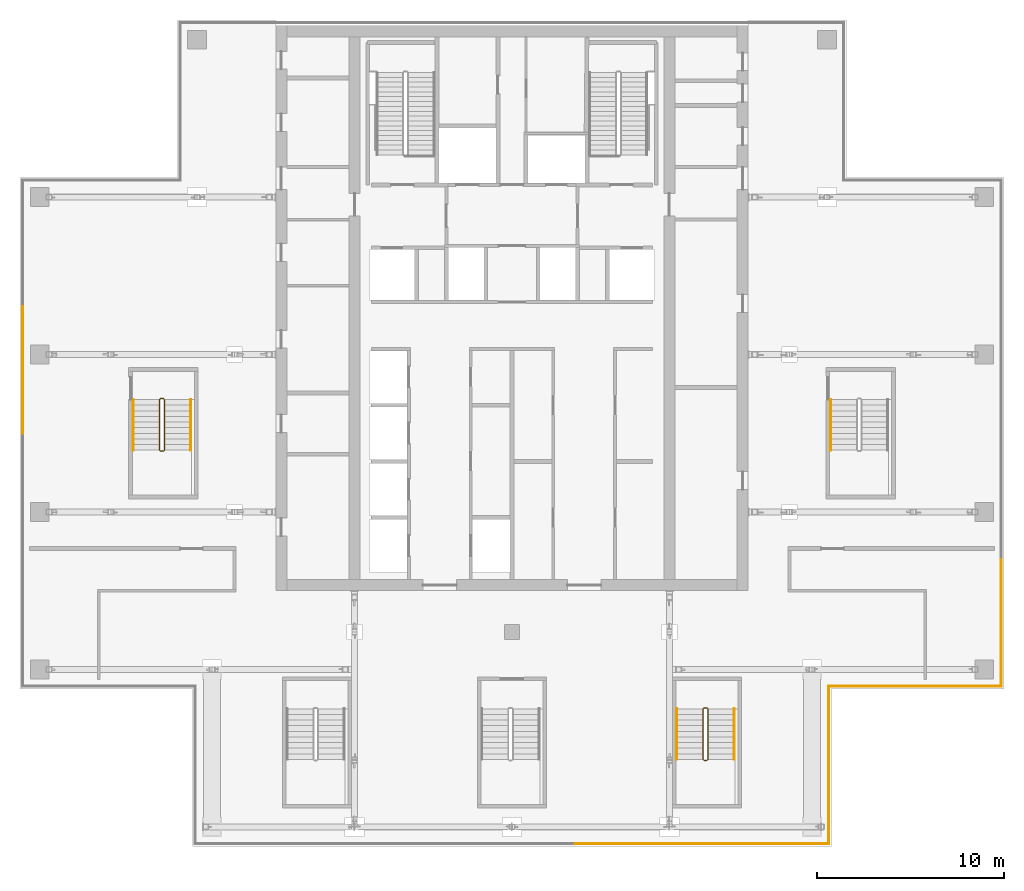
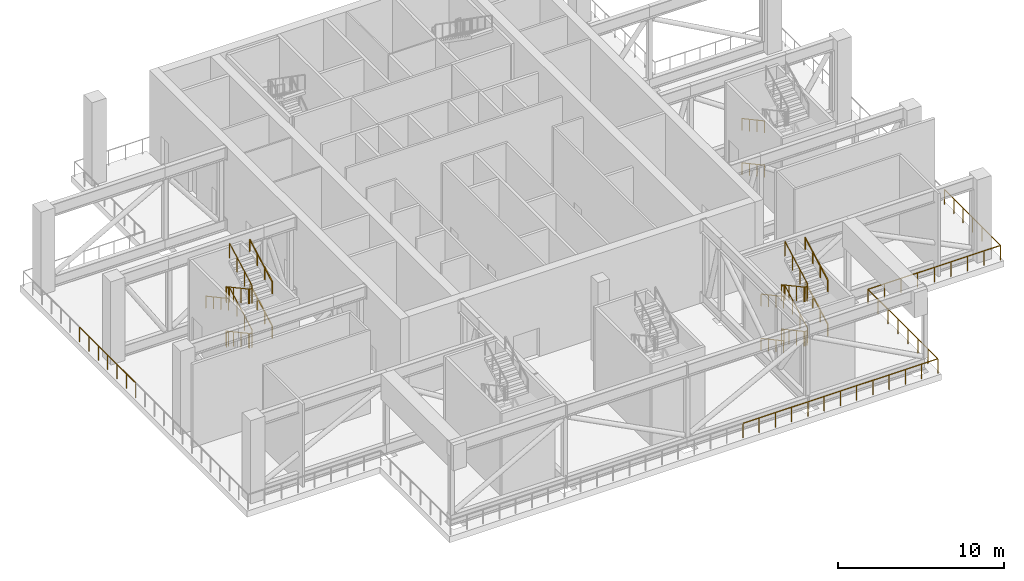
# One storey, part 22 of 24: 18 railings.
"""IFC4 building model written with IfcOpenShell, lengths in metres."""

import ifcopenshell
import ifcopenshell.guid

model = None  # the IFC model being written
_history = None  # IfcOwnerHistory: only IFC2X3 demands one
_inside = {}  # id of a spatial element -> (the spatial element, [elements in it])
_under = {}  # id of a project, library or spatial element -> (it, [spatial elements below it])
_declared = {}  # id of a project -> (the project, [libraries it declares])
_typed = {}  # id of a type object -> (the type object, [elements of that type])
_made_of = {}  # id of a material, layer set ... -> (it, [elements and type objects made of it])


def new_model(schema):
    """Start an empty IFC model of exactly this schema.

    Asked for "IFC4X3", IfcOpenShell would pick the latest addendum, in which some entities
    have other attributes; the version numbers below select the first issue.
    IFC2X3 requires an IfcOwnerHistory on every rooted entity: one is made here for all.
    """
    global model, _history
    if schema == "IFC4X3":
        model = ifcopenshell.file(schema_version=(4, 3, 0, 0))
    else:
        model = ifcopenshell.file(schema=schema)
    _inside.clear()
    _under.clear()
    _declared.clear()
    _typed.clear()
    _made_of.clear()
    _history = None
    if model.schema == "IFC2X3":
        org = make("IfcOrganization", Name="unknown")
        user = make(
            "IfcPersonAndOrganization",
            ThePerson=make("IfcPerson", FamilyName="unknown"),
            TheOrganization=org,
        )
        app = make(
            "IfcApplication",
            ApplicationDeveloper=org,
            Version="unknown",
            ApplicationFullName="unknown",
            ApplicationIdentifier="unknown",
        )
        _history = make(
            "IfcOwnerHistory",
            OwningUser=user,
            OwningApplication=app,
            ChangeAction="ADDED",
            CreationDate=0,
        )
    return model


def make(cls, **values):
    """One entity of the class cls with the attributes given. An attribute that is None is left unset."""
    return model.create_entity(
        cls, **{name: value for name, value in values.items() if value is not None}
    )


def rooted(cls, **values):
    """An entity with a GlobalId (a new one), such as an element, a storey or a relation."""
    return make(cls, GlobalId=ifcopenshell.guid.new(), OwnerHistory=_history, **values)


def si_unit(unit_type, name, prefix=None):
    """IfcSIUnit, for example si_unit("LENGTHUNIT", "METRE", prefix="MILLI")."""
    return make("IfcSIUnit", UnitType=unit_type, Prefix=prefix, Name=name)


def assignment(units):
    """IfcUnitAssignment: the units of a project."""
    return None if units is None else make("IfcUnitAssignment", Units=units)


def point(xyz):
    """IfcCartesianPoint."""
    return None if xyz is None else make("IfcCartesianPoint", Coordinates=xyz)


def direction(xyz):
    """IfcDirection."""
    return None if xyz is None else make("IfcDirection", DirectionRatios=xyz)


def frame(location, z_axis=None, x_axis=None):
    """IfcAxis2Placement3D, a coordinate frame: its origin and axes. An axis left out is left unset."""
    return make(
        "IfcAxis2Placement3D",
        Location=point(location),
        Axis=direction(z_axis),
        RefDirection=direction(x_axis),
    )


def frame_2d(location, x_axis=None):
    """IfcAxis2Placement2D, a coordinate frame in the plane: its origin and x axis."""
    return make(
        "IfcAxis2Placement2D", Location=point(location), RefDirection=direction(x_axis)
    )


def origin():
    """The frame at (0, 0, 0) with its axes left unset."""
    return frame((0.0, 0.0, 0.0))


def origin_2d():
    """The frame at (0, 0) in the plane with its x axis left unset."""
    return frame_2d((0.0, 0.0))


def place(relative_to, where):
    """IfcLocalPlacement: puts the frame where relative to a parent placement (None: the world)."""
    return make(
        "IfcLocalPlacement", PlacementRelTo=relative_to, RelativePlacement=where
    )


def context(
    kind, dimensions, precision=None, world=None, true_north=None, identifier=None
):
    """IfcGeometricRepresentationContext, for example the 3D "Model" context."""
    return make(
        "IfcGeometricRepresentationContext",
        ContextIdentifier=identifier,
        ContextType=kind,
        CoordinateSpaceDimension=dimensions,
        Precision=precision,
        WorldCoordinateSystem=world,
        TrueNorth=true_north,
    )


def subcontext(parent, identifier, kind, view, scale=None):
    """IfcGeometricRepresentationSubContext, for example "Body" below "Model"."""
    return make(
        "IfcGeometricRepresentationSubContext",
        ContextIdentifier=identifier,
        ContextType=kind,
        ParentContext=parent,
        TargetScale=scale,
        TargetView=view,
    )


def project(units=None, contexts=None):
    """IfcProject with its units and contexts."""
    return rooted(
        "IfcProject",
        Name="project",
        RepresentationContexts=contexts,
        UnitsInContext=assignment(units),
    )


def spatial(cls, under=None, at=None, **own):
    """A site, building, storey or space (cls), placed at a placement, below another one or the project."""
    s = rooted(cls, ObjectPlacement=at, **own)
    if under is not None:
        _under.setdefault(under.id(), (under, []))[1].append(s)
    return s


def profile(cls, at=None, kind="AREA", **sizes):
    """A parametric profile (cls). Its sizes go by their IFC names, for example OverallWidth=200.0."""
    return make(cls, ProfileType=kind, Position=at, **sizes)


def rectangle(**sizes):
    """IfcRectangleProfileDef."""
    return profile("IfcRectangleProfileDef", **sizes)


def extrude(swept, where, along, depth):
    """IfcExtrudedAreaSolid: the profile swept, set in the frame where, extruded along a direction by depth."""
    return make(
        "IfcExtrudedAreaSolid",
        SweptArea=swept,
        Position=where,
        ExtrudedDirection=direction(along),
        Depth=depth,
    )


def shape(context_of_items, identifier, shape_type, items):
    """IfcShapeRepresentation: the items that make up one representation, for example the "Body"."""
    return make(
        "IfcShapeRepresentation",
        ContextOfItems=context_of_items,
        RepresentationIdentifier=identifier,
        RepresentationType=shape_type,
        Items=items,
    )


def material(Name=None, Category=None):
    """IfcMaterial."""
    return make("IfcMaterial", Name=Name, Category=Category)


def made_of(thing, what):
    """Note that an element or type object is made of a material, layer set ...; save() writes the relation."""
    if what is not None:
        _made_of.setdefault(what.id(), (what, []))[1].append(thing)
    return thing


def type_object(cls, material=None, **own):
    """A type object (cls), such as IfcWallType, which elements share."""
    return made_of(rooted(cls, **own), material)


def element(
    cls,
    number,
    at=None,
    inside=None,
    cuts=None,
    type_object=None,
    material=None,
    context=None,
    identifier="Body",
    shape_type=None,
    held_by="IfcProductDefinitionShape",
    body=None,
    shapes=None,
    **own,
):
    """One element of the class cls, such as IfcWall. Its Tag is "e" and its number.

    at: its placement. inside: the storey or other place that contains it. cuts: it is an
    opening in that element (IfcRelVoidsElement). A single representation is given by context,
    identifier, shape_type and body (its items); several are given by shapes. held_by: the class
    of the entity that holds the representations. save() writes the other relations.
    """
    e = rooted(cls, Tag="e%d" % number, ObjectPlacement=at, **own)
    if body is not None:
        shapes = [shape(context, identifier, shape_type, body)]
    if shapes is not None:
        e.Representation = make(held_by, Representations=shapes)
    if inside is not None:
        _inside.setdefault(inside.id(), (inside, []))[1].append(e)
    if cuts is not None:
        rooted(
            "IfcRelVoidsElement", RelatingBuildingElement=cuts, RelatedOpeningElement=e
        )
    if type_object is not None:
        _typed.setdefault(type_object.id(), (type_object, []))[1].append(e)
    return made_of(e, material)


def aggregate(whole, parts):
    """IfcRelAggregates: a whole, such as a stair, and the parts it consists of."""
    return rooted("IfcRelAggregates", RelatingObject=whole, RelatedObjects=parts)


def save(model, path):
    """Write the relations noted so far, then the file.

    IfcRelAggregates (storeys below a building ...), IfcRelContainedInSpatialStructure (elements
    in a storey), IfcRelDefinesByType, IfcRelAssociatesMaterial and IfcRelDeclares: one each for
    every whole, place, type object, material and project.
    """
    for whole, parts in _under.values():
        aggregate(whole, parts)
    for where, things in _inside.values():
        rooted(
            "IfcRelContainedInSpatialStructure",
            RelatedElements=things,
            RelatingStructure=where,
        )
    for kind, things in _typed.values():
        rooted("IfcRelDefinesByType", RelatedObjects=things, RelatingType=kind)
    for what, things in _made_of.values():
        rooted("IfcRelAssociatesMaterial", RelatedObjects=things, RelatingMaterial=what)
    for by, libraries in _declared.values():
        rooted("IfcRelDeclares", RelatingContext=by, RelatedDefinitions=libraries)
    model.write(path)


model = new_model("IFC4")

# Units and contexts
model_context = context("Model", 3, precision=1e-05, world=origin(), true_north=direction((0.0, 1.0)))
body_context = subcontext(model_context, "Body", "Model", "MODEL_VIEW")
ifc_project = project(units=[si_unit("LENGTHUNIT", "METRE"), si_unit("AREAUNIT", "SQUARE_METRE"), si_unit("VOLUMEUNIT", "CUBIC_METRE"), si_unit("PLANEANGLEUNIT", "RADIAN"), si_unit("MASSUNIT", "GRAM", prefix="KILO")], contexts=[model_context])

# Site, building, storey
site_placement = place(None, origin())
site = spatial("IfcSite", under=ifc_project, at=site_placement, CompositionType="ELEMENT")
building_placement = place(site_placement, origin())
building = spatial("IfcBuilding", under=site, at=building_placement, Name="Vermilion Ogive Tower", CompositionType="ELEMENT")
storey_placement = place(building_placement, frame((0.0, 0.0, 216.949951171875)))
storey = spatial("IfcBuildingStorey", under=building, at=storey_placement, Name="L57", CompositionType="ELEMENT", Elevation=216.949951171875)

# Railings
ifc_material_1 = material(Name="Stainless steel and glass", Category="steel")
railing_type_1 = type_object("IfcRailingType", Name="Edge guard", PredefinedType="GUARDRAIL", material=ifc_material_1)
railing_1_placement = place(storey_placement, frame((-26.10009765625, 0.0, 0.0)))
element("IfcRailing", 1, at=railing_1_placement, inside=storey, type_object=railing_type_1, Name="Open edge guard L57 3.3", PredefinedType="GUARDRAIL", context=body_context, shape_type="SweptSolid", body=[
    extrude(rectangle(XDim=0.048095703125, YDim=0.048095703125, at=origin_2d()), frame((0.0, 0.0, 1.076171875), z_axis=(0.0, 1.0, 0.0), x_axis=(-1.0, 0.0, 0.0)), (0.0, 0.0, 1.0), 6.75),
    extrude(rectangle(XDim=0.0419921875, YDim=0.0419921875, at=origin_2d()), origin(), (0.0, 0.0, 1.0), 1.052001953125),
    extrude(rectangle(XDim=0.0419921875, YDim=0.0419921875, at=origin_2d()), frame((0.0, 1.125, 0.0)), (0.0, 0.0, 1.0), 1.052001953125),
    extrude(rectangle(XDim=0.0419921875, YDim=0.0419921875, at=origin_2d()), frame((0.0, 2.25, 0.0)), (0.0, 0.0, 1.0), 1.052001953125),
    extrude(rectangle(XDim=0.0419921875, YDim=0.0419921875, at=origin_2d()), frame((0.0, 3.375, 0.0)), (0.0, 0.0, 1.0), 1.052001953125),
    extrude(rectangle(XDim=0.0419921875, YDim=0.0419921875, at=origin_2d()), frame((0.0, 4.5, 0.0)), (0.0, 0.0, 1.0), 1.052001953125),
    extrude(rectangle(XDim=0.0419921875, YDim=0.0419921875, at=origin_2d()), frame((0.0, 5.625, 0.0)), (0.0, 0.0, 1.0), 1.052001953125),
    extrude(rectangle(XDim=0.0419921875, YDim=0.0419921875, at=origin_2d()), frame((0.0, 6.75, 0.0)), (0.0, 0.0, 1.0), 1.052001953125),
])
railing_2_placement = place(storey_placement, frame((26.10009765625, -6.75, 0.0)))
element("IfcRailing", 2, at=railing_2_placement, inside=storey, type_object=railing_type_1, Name="Open edge guard L57 9.4", PredefinedType="GUARDRAIL", context=body_context, shape_type="SweptSolid", body=[
    extrude(rectangle(XDim=0.048095703125, YDim=0.048095703125, at=origin_2d()), frame((0.0, 0.0, 1.076171875), z_axis=(0.0, -1.0, 0.0), x_axis=(1.0, 0.0, 0.0)), (0.0, 0.0, 1.0), 6.75),
    extrude(rectangle(XDim=0.0419921875, YDim=0.0419921875, at=origin_2d()), origin(), (0.0, 0.0, 1.0), 1.052001953125),
    extrude(rectangle(XDim=0.0419921875, YDim=0.0419921875, at=origin_2d()), frame((0.0, -1.125, 0.0)), (0.0, 0.0, 1.0), 1.052001953125),
    extrude(rectangle(XDim=0.0419921875, YDim=0.0419921875, at=origin_2d()), frame((0.0, -2.25, 0.0)), (0.0, 0.0, 1.0), 1.052001953125),
    extrude(rectangle(XDim=0.0419921875, YDim=0.0419921875, at=origin_2d()), frame((0.0, -3.375, 0.0)), (0.0, 0.0, 1.0), 1.052001953125),
    extrude(rectangle(XDim=0.0419921875, YDim=0.0419921875, at=origin_2d()), frame((0.0, -4.5, 0.0)), (0.0, 0.0, 1.0), 1.052001953125),
    extrude(rectangle(XDim=0.0419921875, YDim=0.0419921875, at=origin_2d()), frame((0.0, -5.625, 0.0)), (0.0, 0.0, 1.0), 1.052001953125),
    extrude(rectangle(XDim=0.0419921875, YDim=0.0419921875, at=origin_2d()), frame((0.0, -6.75, 0.0)), (0.0, 0.0, 1.0), 1.052001953125),
])
for number, where, name in (
    (3, (26.10009765625, -13.5, 0.0), "Open edge guard L57 10.1"),
    (4, (21.5, -13.5, 0.0), "Open edge guard L57 10.2"),
):
    element("IfcRailing", number, at=place(storey_placement, frame(where)), inside=storey, type_object=railing_type_1, Name=name, PredefinedType="GUARDRAIL", context=body_context, shape_type="SweptSolid", body=[
        extrude(rectangle(XDim=0.048095703125, YDim=0.048095703125, at=origin_2d()), frame((0.0, 0.0, 1.076171875), z_axis=(-1.0, 0.0, 0.0), x_axis=(0.0, -1.0, 0.0)), (0.0, 0.0, 1.0), 4.60009765625),
        extrude(rectangle(XDim=0.0419921875, YDim=0.0419921875, at=origin_2d()), origin(), (0.0, 0.0, 1.0), 1.052001953125),
        extrude(rectangle(XDim=0.0419921875, YDim=0.0419921875, at=origin_2d()), frame((-1.14990234375, 0.0, 0.0)), (0.0, 0.0, 1.0), 1.052001953125),
        extrude(rectangle(XDim=0.0419921875, YDim=0.0419921875, at=origin_2d()), frame((-2.300048828125, 0.0, 0.0)), (0.0, 0.0, 1.0), 1.052001953125),
        extrude(rectangle(XDim=0.0419921875, YDim=0.0419921875, at=origin_2d()), frame((-3.4501953125, 0.0, 0.0)), (0.0, 0.0, 1.0), 1.052001953125),
        extrude(rectangle(XDim=0.0419921875, YDim=0.0419921875, at=origin_2d()), frame((-4.60009765625, 0.0, 0.0)), (0.0, 0.0, 1.0), 1.052001953125),
    ])
railing_3_placement = place(storey_placement, frame((16.89990234375, -13.5, 0.0)))
element("IfcRailing", 5, at=railing_3_placement, inside=storey, type_object=railing_type_1, Name="Open edge guard L57 11.1", PredefinedType="GUARDRAIL", context=body_context, shape_type="SweptSolid", body=[
    extrude(rectangle(XDim=0.048095703125, YDim=0.048095703125, at=origin_2d()), frame((0.0, 0.0, 1.076171875), z_axis=(0.0, -1.0, 0.0), x_axis=(1.0, 0.0, 0.0)), (0.0, 0.0, 1.0), 8.39990234375),
    extrude(rectangle(XDim=0.0419921875, YDim=0.0419921875, at=origin_2d()), origin(), (0.0, 0.0, 1.0), 1.052001953125),
    extrude(rectangle(XDim=0.0419921875, YDim=0.0419921875, at=origin_2d()), frame((0.0, -1.199951171875, 0.0)), (0.0, 0.0, 1.0), 1.052001953125),
    extrude(rectangle(XDim=0.0419921875, YDim=0.0419921875, at=origin_2d()), frame((0.0, -2.39990234375, 0.0)), (0.0, 0.0, 1.0), 1.052001953125),
    extrude(rectangle(XDim=0.0419921875, YDim=0.0419921875, at=origin_2d()), frame((0.0, -3.599853515625, 0.0)), (0.0, 0.0, 1.0), 1.052001953125),
    extrude(rectangle(XDim=0.0419921875, YDim=0.0419921875, at=origin_2d()), frame((0.0, -4.800048828125, 0.0)), (0.0, 0.0, 1.0), 1.052001953125),
    extrude(rectangle(XDim=0.0419921875, YDim=0.0419921875, at=origin_2d()), frame((0.0, -6.0, 0.0)), (0.0, 0.0, 1.0), 1.052001953125),
    extrude(rectangle(XDim=0.0419921875, YDim=0.0419921875, at=origin_2d()), frame((0.0, -7.199951171875, 0.0)), (0.0, 0.0, 1.0), 1.052001953125),
    extrude(rectangle(XDim=0.0419921875, YDim=0.0419921875, at=origin_2d()), frame((0.0, -8.39990234375, 0.0)), (0.0, 0.0, 1.0), 1.052001953125),
])
for number, where, name in (
    (6, (16.89990234375, -21.89990234375, 0.0), "Open edge guard L57 12.1"),
    (7, (10.139892578125, -21.89990234375, 0.0), "Open edge guard L57 12.2"),
):
    element("IfcRailing", number, at=place(storey_placement, frame(where)), inside=storey, type_object=railing_type_1, Name=name, PredefinedType="GUARDRAIL", context=body_context, shape_type="SweptSolid", body=[
        extrude(rectangle(XDim=0.048095703125, YDim=0.048095703125, at=origin_2d()), frame((0.0, 0.0, 1.076171875), z_axis=(-1.0, 0.0, 0.0), x_axis=(0.0, -1.0, 0.0)), (0.0, 0.0, 1.0), 6.760009765625),
        extrude(rectangle(XDim=0.0419921875, YDim=0.0419921875, at=origin_2d()), origin(), (0.0, 0.0, 1.0), 1.052001953125),
        extrude(rectangle(XDim=0.0419921875, YDim=0.0419921875, at=origin_2d()), frame((-1.126708984375, 0.0, 0.0)), (0.0, 0.0, 1.0), 1.052001953125),
        extrude(rectangle(XDim=0.0419921875, YDim=0.0419921875, at=origin_2d()), frame((-2.25341796875, 0.0, 0.0)), (0.0, 0.0, 1.0), 1.052001953125),
        extrude(rectangle(XDim=0.0419921875, YDim=0.0419921875, at=origin_2d()), frame((-3.3798828125, 0.0, 0.0)), (0.0, 0.0, 1.0), 1.052001953125),
        extrude(rectangle(XDim=0.0419921875, YDim=0.0419921875, at=origin_2d()), frame((-4.506591796875, 0.0, 0.0)), (0.0, 0.0, 1.0), 1.052001953125),
        extrude(rectangle(XDim=0.0419921875, YDim=0.0419921875, at=origin_2d()), frame((-5.63330078125, 0.0, 0.0)), (0.0, 0.0, 1.0), 1.052001953125),
        extrude(rectangle(XDim=0.0419921875, YDim=0.0419921875, at=origin_2d()), frame((-6.760009765625, 0.0, 0.0)), (0.0, 0.0, 1.0), 1.052001953125),
    ])
ifc_material_2 = material(Name="Steel S355 painted", Category="steel")
railing_type_2 = type_object("IfcRailingType", Name="Stair guard 1100", PredefinedType="GUARDRAIL", material=ifc_material_2)
railing_4_placement = place(storey_placement, frame((10.39990234375, -14.64990234375, 0.0)))
element("IfcRailing", 8, at=railing_4_placement, inside=storey, type_object=railing_type_2, Name="L57 ST5 stair guard 8", PredefinedType="GUARDRAIL", context=body_context, shape_type="SweptSolid", body=[
    extrude(rectangle(XDim=0.048095703125, YDim=0.048095703125, at=origin_2d()), frame((0.0, 0.0, 1.076171875), z_axis=(-1.0, 0.0, 0.0), x_axis=(0.0, -1.0, 0.0)), (0.0, 0.0, 1.0), 0.14990234375),
    extrude(rectangle(XDim=0.048095703125, YDim=0.048095703125, at=origin_2d()), frame((-0.14990234375, 0.0, 1.076171875), z_axis=(-0.282227285176, -0.282227285176, 0.916894497205), x_axis=(0.707106781187, -0.707106781187, 0.0)), (0.0, 0.0, 1.0), 0.17724609375),
    extrude(rectangle(XDim=0.048095703125, YDim=0.048095703125, at=origin_2d()), frame((-0.199951171875, -0.050048828125, 1.23876953125), z_axis=(0.0, -0.87930167832, 0.476265218658), x_axis=(1.0, 0.0, 0.0)), (0.0, 0.0, 1.0), 3.070556640625),
    extrude(rectangle(XDim=0.048095703125, YDim=0.048095703125, at=origin_2d()), frame((-0.199951171875, -2.75, 2.701171875), z_axis=(0.707106781187, -0.707106781187, 0.0), x_axis=(0.707106781187, 0.707106781187, 0.0)), (0.0, 0.0, 1.0), 0.07080078125),
    extrude(rectangle(XDim=0.048095703125, YDim=0.048095703125, at=origin_2d()), frame((-0.14990234375, -2.800048828125, 2.701171875), z_axis=(1.0, 0.0, 0.0), x_axis=(0.0, 1.0, 0.0)), (0.0, 0.0, 1.0), 0.14990234375),
    extrude(rectangle(XDim=0.048095703125, YDim=0.048095703125, at=origin_2d()), frame((0.0, -2.800048828125, 2.701171875), z_axis=(0.282227285176, 0.282227285176, 0.916894497205), x_axis=(-0.707106781187, 0.707106781187, 0.0)), (0.0, 0.0, 1.0), 0.17724609375),
    extrude(rectangle(XDim=0.048095703125, YDim=0.048095703125, at=origin_2d()), frame((0.050048828125, -2.75, 2.86376953125), z_axis=(0.0, 0.87930167832, 0.476265218658), x_axis=(-1.0, 0.0, 0.0)), (0.0, 0.0, 1.0), 3.070556640625),
    extrude(rectangle(XDim=0.048095703125, YDim=0.048095703125, at=origin_2d()), frame((0.050048828125, -0.050048828125, 4.326171875), z_axis=(-0.707106781187, 0.707106781187, 0.0), x_axis=(-0.707106781187, -0.707106781187, 0.0)), (0.0, 0.0, 1.0), 0.07080078125),
    extrude(rectangle(XDim=0.048095703125, YDim=0.048095703125, at=origin_2d()), frame((0.0, 0.0, 4.326171875), z_axis=(-1.0, 0.0, 0.0), x_axis=(0.0, -1.0, 0.0)), (0.0, 0.0, 1.0), 0.14990234375),
    extrude(rectangle(XDim=0.048095703125, YDim=0.048095703125, at=origin_2d()), frame((-0.14990234375, 0.0, 4.326171875), z_axis=(-0.282227285176, -0.282227285176, 0.916894497205), x_axis=(0.707106781187, -0.707106781187, 0.0)), (0.0, 0.0, 1.0), 0.17724609375),
    extrude(rectangle(XDim=0.048095703125, YDim=0.048095703125, at=origin_2d()), frame((-0.199951171875, -0.050048828125, 4.48876953125), z_axis=(0.0, -0.87930167832, 0.476265218658), x_axis=(1.0, 0.0, 0.0)), (0.0, 0.0, 1.0), 3.070556640625),
    extrude(rectangle(XDim=0.048095703125, YDim=0.048095703125, at=origin_2d()), frame((-0.199951171875, -2.75, 5.951171875), z_axis=(0.707106781187, -0.707106781187, 0.0), x_axis=(0.707106781187, 0.707106781187, 0.0)), (0.0, 0.0, 1.0), 0.07080078125),
    extrude(rectangle(XDim=0.048095703125, YDim=0.048095703125, at=origin_2d()), frame((-0.14990234375, -2.800048828125, 5.951171875), z_axis=(1.0, 0.0, 0.0), x_axis=(0.0, 1.0, 0.0)), (0.0, 0.0, 1.0), 0.14990234375),
    extrude(rectangle(XDim=0.048095703125, YDim=0.048095703125, at=origin_2d()), frame((0.0, -2.800048828125, 5.951171875), z_axis=(0.282227285176, 0.282227285176, 0.916894497205), x_axis=(-0.707106781187, 0.707106781187, 0.0)), (0.0, 0.0, 1.0), 0.17724609375),
    extrude(rectangle(XDim=0.048095703125, YDim=0.048095703125, at=origin_2d()), frame((0.050048828125, -2.75, 6.11376953125), z_axis=(0.0, 0.87930167832, 0.476265218658), x_axis=(-1.0, 0.0, 0.0)), (0.0, 0.0, 1.0), 3.070556640625),
    extrude(rectangle(XDim=0.0419921875, YDim=0.0419921875, at=origin_2d()), origin(), (0.0, 0.0, 1.0), 1.052001953125),
    extrude(rectangle(XDim=0.0419921875, YDim=0.0419921875, at=origin_2d()), frame((-0.14990234375, 0.0, 0.0)), (0.0, 0.0, 1.0), 1.052001953125),
    extrude(rectangle(XDim=0.0419921875, YDim=0.0419921875, at=origin_2d()), frame((-0.199951171875, -0.050048828125, 0.16259765625)), (0.0, 0.0, 1.0), 1.052001953125),
    extrude(rectangle(XDim=0.0419921875, YDim=0.0419921875, at=origin_2d()), frame((-0.199951171875, -0.949951171875, 0.650146484375)), (0.0, 0.0, 1.0), 1.052001953125),
    extrude(rectangle(XDim=0.0419921875, YDim=0.0419921875, at=origin_2d()), frame((-0.199951171875, -1.85009765625, 1.137451171875)), (0.0, 0.0, 1.0), 1.052001953125),
    extrude(rectangle(XDim=0.0419921875, YDim=0.0419921875, at=origin_2d()), frame((-0.199951171875, -2.75, 1.625)), (0.0, 0.0, 1.0), 1.052001953125),
    extrude(rectangle(XDim=0.0419921875, YDim=0.0419921875, at=origin_2d()), frame((-0.14990234375, -2.800048828125, 1.625)), (0.0, 0.0, 1.0), 1.052001953125),
    extrude(rectangle(XDim=0.0419921875, YDim=0.0419921875, at=origin_2d()), frame((0.0, -2.800048828125, 1.625)), (0.0, 0.0, 1.0), 1.052001953125),
    extrude(rectangle(XDim=0.0419921875, YDim=0.0419921875, at=origin_2d()), frame((0.050048828125, -2.75, 1.78759765625)), (0.0, 0.0, 1.0), 1.052001953125),
    extrude(rectangle(XDim=0.0419921875, YDim=0.0419921875, at=origin_2d()), frame((0.050048828125, -1.85009765625, 2.275146484375)), (0.0, 0.0, 1.0), 1.052001953125),
    extrude(rectangle(XDim=0.0419921875, YDim=0.0419921875, at=origin_2d()), frame((0.050048828125, -0.949951171875, 2.762451171875)), (0.0, 0.0, 1.0), 1.052001953125),
    extrude(rectangle(XDim=0.0419921875, YDim=0.0419921875, at=origin_2d()), frame((0.050048828125, -0.050048828125, 3.25)), (0.0, 0.0, 1.0), 1.052001953125),
    extrude(rectangle(XDim=0.0419921875, YDim=0.0419921875, at=origin_2d()), frame((0.0, 0.0, 3.25)), (0.0, 0.0, 1.0), 1.052001953125),
    extrude(rectangle(XDim=0.0419921875, YDim=0.0419921875, at=origin_2d()), frame((-0.14990234375, 0.0, 3.25)), (0.0, 0.0, 1.0), 1.052001953125),
    extrude(rectangle(XDim=0.0419921875, YDim=0.0419921875, at=origin_2d()), frame((-0.199951171875, -0.050048828125, 3.41259765625)), (0.0, 0.0, 1.0), 1.052001953125),
    extrude(rectangle(XDim=0.0419921875, YDim=0.0419921875, at=origin_2d()), frame((-0.199951171875, -0.949951171875, 3.900146484375)), (0.0, 0.0, 1.0), 1.052001953125),
    extrude(rectangle(XDim=0.0419921875, YDim=0.0419921875, at=origin_2d()), frame((-0.199951171875, -1.85009765625, 4.387451171875)), (0.0, 0.0, 1.0), 1.052001953125),
    extrude(rectangle(XDim=0.0419921875, YDim=0.0419921875, at=origin_2d()), frame((-0.199951171875, -2.75, 4.875)), (0.0, 0.0, 1.0), 1.052001953125),
    extrude(rectangle(XDim=0.0419921875, YDim=0.0419921875, at=origin_2d()), frame((-0.14990234375, -2.800048828125, 4.875)), (0.0, 0.0, 1.0), 1.052001953125),
    extrude(rectangle(XDim=0.0419921875, YDim=0.0419921875, at=origin_2d()), frame((0.0, -2.800048828125, 4.875)), (0.0, 0.0, 1.0), 1.052001953125),
    extrude(rectangle(XDim=0.0419921875, YDim=0.0419921875, at=origin_2d()), frame((0.050048828125, -2.75, 5.03759765625)), (0.0, 0.0, 1.0), 1.052001953125),
    extrude(rectangle(XDim=0.0419921875, YDim=0.0419921875, at=origin_2d()), frame((0.050048828125, -1.85009765625, 5.525146484375)), (0.0, 0.0, 1.0), 1.052001953125),
    extrude(rectangle(XDim=0.0419921875, YDim=0.0419921875, at=origin_2d()), frame((0.050048828125, -0.949951171875, 6.012451171875)), (0.0, 0.0, 1.0), 1.052001953125),
    extrude(rectangle(XDim=0.0419921875, YDim=0.0419921875, at=origin_2d()), frame((0.050048828125, -0.050048828125, 6.5)), (0.0, 0.0, 1.0), 1.052001953125),
])
railing_5_placement = place(storey_placement, frame((-18.60009765625, 1.85009765625, 0.0)))
element("IfcRailing", 9, at=railing_5_placement, inside=storey, type_object=railing_type_2, Name="L57 ST9 stair guard 8", PredefinedType="GUARDRAIL", context=body_context, shape_type="SweptSolid", body=[
    extrude(rectangle(XDim=0.048095703125, YDim=0.048095703125, at=origin_2d()), frame((0.0, 0.0, 1.076171875), z_axis=(-1.0, 0.0, 0.0), x_axis=(0.0, -1.0, 0.0)), (0.0, 0.0, 1.0), 0.14990234375),
    extrude(rectangle(XDim=0.048095703125, YDim=0.048095703125, at=origin_2d()), frame((-0.14990234375, 0.0, 1.076171875), z_axis=(-0.282227285176, -0.282227285176, 0.916894497205), x_axis=(0.707106781187, -0.707106781187, 0.0)), (0.0, 0.0, 1.0), 0.17724609375),
    extrude(rectangle(XDim=0.048095703125, YDim=0.048095703125, at=origin_2d()), frame((-0.199951171875, -0.050048828125, 1.23876953125), z_axis=(0.0, -0.87930167832, 0.476265218658), x_axis=(1.0, 0.0, 0.0)), (0.0, 0.0, 1.0), 3.070556640625),
    extrude(rectangle(XDim=0.048095703125, YDim=0.048095703125, at=origin_2d()), frame((-0.199951171875, -2.75, 2.701171875), z_axis=(0.707106781187, -0.707106781187, 0.0), x_axis=(0.707106781187, 0.707106781187, 0.0)), (0.0, 0.0, 1.0), 0.07080078125),
    extrude(rectangle(XDim=0.048095703125, YDim=0.048095703125, at=origin_2d()), frame((-0.14990234375, -2.800048828125, 2.701171875), z_axis=(1.0, 0.0, 0.0), x_axis=(0.0, 1.0, 0.0)), (0.0, 0.0, 1.0), 0.14990234375),
    extrude(rectangle(XDim=0.048095703125, YDim=0.048095703125, at=origin_2d()), frame((0.0, -2.800048828125, 2.701171875), z_axis=(0.282227285176, 0.282227285176, 0.916894497205), x_axis=(-0.707106781187, 0.707106781187, 0.0)), (0.0, 0.0, 1.0), 0.17724609375),
    extrude(rectangle(XDim=0.048095703125, YDim=0.048095703125, at=origin_2d()), frame((0.050048828125, -2.75, 2.86376953125), z_axis=(0.0, 0.87930167832, 0.476265218658), x_axis=(-1.0, 0.0, 0.0)), (0.0, 0.0, 1.0), 3.070556640625),
    extrude(rectangle(XDim=0.048095703125, YDim=0.048095703125, at=origin_2d()), frame((0.050048828125, -0.050048828125, 4.326171875), z_axis=(-0.707106781187, 0.707106781187, 0.0), x_axis=(-0.707106781187, -0.707106781187, 0.0)), (0.0, 0.0, 1.0), 0.07080078125),
    extrude(rectangle(XDim=0.048095703125, YDim=0.048095703125, at=origin_2d()), frame((0.0, 0.0, 4.326171875), z_axis=(-1.0, 0.0, 0.0), x_axis=(0.0, -1.0, 0.0)), (0.0, 0.0, 1.0), 0.14990234375),
    extrude(rectangle(XDim=0.048095703125, YDim=0.048095703125, at=origin_2d()), frame((-0.14990234375, 0.0, 4.326171875), z_axis=(-0.282227285176, -0.282227285176, 0.916894497205), x_axis=(0.707106781187, -0.707106781187, 0.0)), (0.0, 0.0, 1.0), 0.17724609375),
    extrude(rectangle(XDim=0.048095703125, YDim=0.048095703125, at=origin_2d()), frame((-0.199951171875, -0.050048828125, 4.48876953125), z_axis=(0.0, -0.87930167832, 0.476265218658), x_axis=(1.0, 0.0, 0.0)), (0.0, 0.0, 1.0), 3.070556640625),
    extrude(rectangle(XDim=0.048095703125, YDim=0.048095703125, at=origin_2d()), frame((-0.199951171875, -2.75, 5.951171875), z_axis=(0.707106781187, -0.707106781187, 0.0), x_axis=(0.707106781187, 0.707106781187, 0.0)), (0.0, 0.0, 1.0), 0.07080078125),
    extrude(rectangle(XDim=0.048095703125, YDim=0.048095703125, at=origin_2d()), frame((-0.14990234375, -2.800048828125, 5.951171875), z_axis=(1.0, 0.0, 0.0), x_axis=(0.0, 1.0, 0.0)), (0.0, 0.0, 1.0), 0.14990234375),
    extrude(rectangle(XDim=0.048095703125, YDim=0.048095703125, at=origin_2d()), frame((0.0, -2.800048828125, 5.951171875), z_axis=(0.282227285176, 0.282227285176, 0.916894497205), x_axis=(-0.707106781187, 0.707106781187, 0.0)), (0.0, 0.0, 1.0), 0.17724609375),
    extrude(rectangle(XDim=0.048095703125, YDim=0.048095703125, at=origin_2d()), frame((0.050048828125, -2.75, 6.11376953125), z_axis=(0.0, 0.87930167832, 0.476265218658), x_axis=(-1.0, 0.0, 0.0)), (0.0, 0.0, 1.0), 3.070556640625),
    extrude(rectangle(XDim=0.0419921875, YDim=0.0419921875, at=origin_2d()), origin(), (0.0, 0.0, 1.0), 1.052001953125),
    extrude(rectangle(XDim=0.0419921875, YDim=0.0419921875, at=origin_2d()), frame((-0.14990234375, 0.0, 0.0)), (0.0, 0.0, 1.0), 1.052001953125),
    extrude(rectangle(XDim=0.0419921875, YDim=0.0419921875, at=origin_2d()), frame((-0.199951171875, -0.050048828125, 0.16259765625)), (0.0, 0.0, 1.0), 1.052001953125),
    extrude(rectangle(XDim=0.0419921875, YDim=0.0419921875, at=origin_2d()), frame((-0.199951171875, -0.949951171875, 0.650146484375)), (0.0, 0.0, 1.0), 1.052001953125),
    extrude(rectangle(XDim=0.0419921875, YDim=0.0419921875, at=origin_2d()), frame((-0.199951171875, -1.85009765625, 1.137451171875)), (0.0, 0.0, 1.0), 1.052001953125),
    extrude(rectangle(XDim=0.0419921875, YDim=0.0419921875, at=origin_2d()), frame((-0.199951171875, -2.75, 1.625)), (0.0, 0.0, 1.0), 1.052001953125),
    extrude(rectangle(XDim=0.0419921875, YDim=0.0419921875, at=origin_2d()), frame((-0.14990234375, -2.800048828125, 1.625)), (0.0, 0.0, 1.0), 1.052001953125),
    extrude(rectangle(XDim=0.0419921875, YDim=0.0419921875, at=origin_2d()), frame((0.0, -2.800048828125, 1.625)), (0.0, 0.0, 1.0), 1.052001953125),
    extrude(rectangle(XDim=0.0419921875, YDim=0.0419921875, at=origin_2d()), frame((0.050048828125, -2.75, 1.78759765625)), (0.0, 0.0, 1.0), 1.052001953125),
    extrude(rectangle(XDim=0.0419921875, YDim=0.0419921875, at=origin_2d()), frame((0.050048828125, -1.85009765625, 2.275146484375)), (0.0, 0.0, 1.0), 1.052001953125),
    extrude(rectangle(XDim=0.0419921875, YDim=0.0419921875, at=origin_2d()), frame((0.050048828125, -0.949951171875, 2.762451171875)), (0.0, 0.0, 1.0), 1.052001953125),
    extrude(rectangle(XDim=0.0419921875, YDim=0.0419921875, at=origin_2d()), frame((0.050048828125, -0.050048828125, 3.25)), (0.0, 0.0, 1.0), 1.052001953125),
    extrude(rectangle(XDim=0.0419921875, YDim=0.0419921875, at=origin_2d()), frame((0.0, 0.0, 3.25)), (0.0, 0.0, 1.0), 1.052001953125),
    extrude(rectangle(XDim=0.0419921875, YDim=0.0419921875, at=origin_2d()), frame((-0.14990234375, 0.0, 3.25)), (0.0, 0.0, 1.0), 1.052001953125),
    extrude(rectangle(XDim=0.0419921875, YDim=0.0419921875, at=origin_2d()), frame((-0.199951171875, -0.050048828125, 3.41259765625)), (0.0, 0.0, 1.0), 1.052001953125),
    extrude(rectangle(XDim=0.0419921875, YDim=0.0419921875, at=origin_2d()), frame((-0.199951171875, -0.949951171875, 3.900146484375)), (0.0, 0.0, 1.0), 1.052001953125),
    extrude(rectangle(XDim=0.0419921875, YDim=0.0419921875, at=origin_2d()), frame((-0.199951171875, -1.85009765625, 4.387451171875)), (0.0, 0.0, 1.0), 1.052001953125),
    extrude(rectangle(XDim=0.0419921875, YDim=0.0419921875, at=origin_2d()), frame((-0.199951171875, -2.75, 4.875)), (0.0, 0.0, 1.0), 1.052001953125),
    extrude(rectangle(XDim=0.0419921875, YDim=0.0419921875, at=origin_2d()), frame((-0.14990234375, -2.800048828125, 4.875)), (0.0, 0.0, 1.0), 1.052001953125),
    extrude(rectangle(XDim=0.0419921875, YDim=0.0419921875, at=origin_2d()), frame((0.0, -2.800048828125, 4.875)), (0.0, 0.0, 1.0), 1.052001953125),
    extrude(rectangle(XDim=0.0419921875, YDim=0.0419921875, at=origin_2d()), frame((0.050048828125, -2.75, 5.03759765625)), (0.0, 0.0, 1.0), 1.052001953125),
    extrude(rectangle(XDim=0.0419921875, YDim=0.0419921875, at=origin_2d()), frame((0.050048828125, -1.85009765625, 5.525146484375)), (0.0, 0.0, 1.0), 1.052001953125),
    extrude(rectangle(XDim=0.0419921875, YDim=0.0419921875, at=origin_2d()), frame((0.050048828125, -0.949951171875, 6.012451171875)), (0.0, 0.0, 1.0), 1.052001953125),
    extrude(rectangle(XDim=0.0419921875, YDim=0.0419921875, at=origin_2d()), frame((0.050048828125, -0.050048828125, 6.5)), (0.0, 0.0, 1.0), 1.052001953125),
])
ifc_material_3 = material(Name="Stainless steel", Category="steel")
railing_type_3 = type_object("IfcRailingType", Name="Stair handrail 900", PredefinedType="HANDRAIL", material=ifc_material_3)
railing_6_placement = place(storey_placement, frame((8.800048828125, -14.699951171875, 0.16259765625)))
element("IfcRailing", 10, at=railing_6_placement, inside=storey, type_object=railing_type_3, Name="L57 ST5 stair handrail 1", PredefinedType="HANDRAIL", context=body_context, shape_type="SweptSolid", body=[
    extrude(rectangle(XDim=0.048095703125, YDim=0.048095703125, at=origin_2d()), frame((0.0, 0.0, 0.8759765625), z_axis=(0.0, -0.87930167832, 0.476265218658), x_axis=(1.0, 0.0, 0.0)), (0.0, 0.0, 1.0), 3.070556640625),
    extrude(rectangle(XDim=0.0419921875, YDim=0.0419921875, at=origin_2d()), origin(), (0.0, 0.0, 1.0), 0.851806640625),
    extrude(rectangle(XDim=0.0419921875, YDim=0.0419921875, at=origin_2d()), frame((0.0, -0.89990234375, 0.487548828125)), (0.0, 0.0, 1.0), 0.851806640625),
    extrude(rectangle(XDim=0.0419921875, YDim=0.0419921875, at=origin_2d()), frame((0.0, -1.800048828125, 0.974853515625)), (0.0, 0.0, 1.0), 0.851806640625),
    extrude(rectangle(XDim=0.0419921875, YDim=0.0419921875, at=origin_2d()), frame((0.0, -2.699951171875, 1.46240234375)), (0.0, 0.0, 1.0), 0.851806640625),
])
railing_7_placement = place(storey_placement, frame((11.85009765625, -17.39990234375, 1.78759765625)))
element("IfcRailing", 11, at=railing_7_placement, inside=storey, type_object=railing_type_3, Name="L57 ST5 stair handrail 2", PredefinedType="HANDRAIL", context=body_context, shape_type="SweptSolid", body=[
    extrude(rectangle(XDim=0.048095703125, YDim=0.048095703125, at=origin_2d()), frame((0.0, 0.0, 0.8759765625), z_axis=(0.0, 0.87930167832, 0.476265218658), x_axis=(-1.0, 0.0, 0.0)), (0.0, 0.0, 1.0), 3.070556640625),
    extrude(rectangle(XDim=0.0419921875, YDim=0.0419921875, at=origin_2d()), origin(), (0.0, 0.0, 1.0), 0.851806640625),
    extrude(rectangle(XDim=0.0419921875, YDim=0.0419921875, at=origin_2d()), frame((0.0, 0.89990234375, 0.487548828125)), (0.0, 0.0, 1.0), 0.851806640625),
    extrude(rectangle(XDim=0.0419921875, YDim=0.0419921875, at=origin_2d()), frame((0.0, 1.800048828125, 0.974853515625)), (0.0, 0.0, 1.0), 0.851806640625),
    extrude(rectangle(XDim=0.0419921875, YDim=0.0419921875, at=origin_2d()), frame((0.0, 2.699951171875, 1.46240234375)), (0.0, 0.0, 1.0), 0.851806640625),
])
railing_8_placement = place(storey_placement, frame((8.800048828125, -14.699951171875, 3.41259765625)))
element("IfcRailing", 12, at=railing_8_placement, inside=storey, type_object=railing_type_3, Name="L57 ST5 stair handrail 3", PredefinedType="HANDRAIL", context=body_context, shape_type="SweptSolid", body=[
    extrude(rectangle(XDim=0.048095703125, YDim=0.048095703125, at=origin_2d()), frame((0.0, 0.0, 0.8759765625), z_axis=(0.0, -0.87930167832, 0.476265218658), x_axis=(1.0, 0.0, 0.0)), (0.0, 0.0, 1.0), 3.070556640625),
    extrude(rectangle(XDim=0.0419921875, YDim=0.0419921875, at=origin_2d()), origin(), (0.0, 0.0, 1.0), 0.851806640625),
    extrude(rectangle(XDim=0.0419921875, YDim=0.0419921875, at=origin_2d()), frame((0.0, -0.89990234375, 0.487548828125)), (0.0, 0.0, 1.0), 0.851806640625),
    extrude(rectangle(XDim=0.0419921875, YDim=0.0419921875, at=origin_2d()), frame((0.0, -1.800048828125, 0.974853515625)), (0.0, 0.0, 1.0), 0.851806640625),
    extrude(rectangle(XDim=0.0419921875, YDim=0.0419921875, at=origin_2d()), frame((0.0, -2.699951171875, 1.46240234375)), (0.0, 0.0, 1.0), 0.851806640625),
])
railing_9_placement = place(storey_placement, frame((11.85009765625, -17.39990234375, 5.03759765625)))
element("IfcRailing", 13, at=railing_9_placement, inside=storey, type_object=railing_type_3, Name="L57 ST5 stair handrail 4", PredefinedType="HANDRAIL", context=body_context, shape_type="SweptSolid", body=[
    extrude(rectangle(XDim=0.048095703125, YDim=0.048095703125, at=origin_2d()), frame((0.0, 0.0, 0.8759765625), z_axis=(0.0, 0.87930167832, 0.476265218658), x_axis=(-1.0, 0.0, 0.0)), (0.0, 0.0, 1.0), 3.070556640625),
    extrude(rectangle(XDim=0.0419921875, YDim=0.0419921875, at=origin_2d()), origin(), (0.0, 0.0, 1.0), 0.851806640625),
    extrude(rectangle(XDim=0.0419921875, YDim=0.0419921875, at=origin_2d()), frame((0.0, 0.89990234375, 0.487548828125)), (0.0, 0.0, 1.0), 0.851806640625),
    extrude(rectangle(XDim=0.0419921875, YDim=0.0419921875, at=origin_2d()), frame((0.0, 1.800048828125, 0.974853515625)), (0.0, 0.0, 1.0), 0.851806640625),
    extrude(rectangle(XDim=0.0419921875, YDim=0.0419921875, at=origin_2d()), frame((0.0, 2.699951171875, 1.46240234375)), (0.0, 0.0, 1.0), 0.851806640625),
])
for number, where, name in (
    (14, (17.0, 1.800048828125, 0.16259765625), "L57 ST8 stair handrail 1"),
    (15, (17.0, 1.800048828125, 3.41259765625), "L57 ST8 stair handrail 3"),
):
    element("IfcRailing", number, at=place(storey_placement, frame(where)), inside=storey, type_object=railing_type_3, Name=name, PredefinedType="HANDRAIL", context=body_context, shape_type="SweptSolid", body=[
        extrude(rectangle(XDim=0.048095703125, YDim=0.048095703125, at=origin_2d()), frame((0.0, 0.0, 0.8759765625), z_axis=(0.0, -0.87930167832, 0.476265218658), x_axis=(1.0, 0.0, 0.0)), (0.0, 0.0, 1.0), 3.070556640625),
        extrude(rectangle(XDim=0.0419921875, YDim=0.0419921875, at=origin_2d()), origin(), (0.0, 0.0, 1.0), 0.851806640625),
        extrude(rectangle(XDim=0.0419921875, YDim=0.0419921875, at=origin_2d()), frame((0.0, -0.89990234375, 0.487548828125)), (0.0, 0.0, 1.0), 0.851806640625),
        extrude(rectangle(XDim=0.0419921875, YDim=0.0419921875, at=origin_2d()), frame((0.0, -1.800048828125, 0.974853515625)), (0.0, 0.0, 1.0), 0.851806640625),
        extrude(rectangle(XDim=0.0419921875, YDim=0.0419921875, at=origin_2d()), frame((0.0, -2.699951171875, 1.46240234375)), (0.0, 0.0, 1.0), 0.851806640625),
    ])
railing_10_placement = place(storey_placement, frame((-17.14990234375, -0.89990234375, 1.78759765625)))
element("IfcRailing", 16, at=railing_10_placement, inside=storey, type_object=railing_type_3, Name="L57 ST9 stair handrail 2", PredefinedType="HANDRAIL", context=body_context, shape_type="SweptSolid", body=[
    extrude(rectangle(XDim=0.048095703125, YDim=0.048095703125, at=origin_2d()), frame((0.0, 0.0, 0.8759765625), z_axis=(0.0, 0.87930167832, 0.476265218658), x_axis=(-1.0, 0.0, 0.0)), (0.0, 0.0, 1.0), 3.070556640625),
    extrude(rectangle(XDim=0.0419921875, YDim=0.0419921875, at=origin_2d()), origin(), (0.0, 0.0, 1.0), 0.851806640625),
    extrude(rectangle(XDim=0.0419921875, YDim=0.0419921875, at=origin_2d()), frame((0.0, 0.89990234375, 0.487548828125)), (0.0, 0.0, 1.0), 0.851806640625),
    extrude(rectangle(XDim=0.0419921875, YDim=0.0419921875, at=origin_2d()), frame((0.0, 1.800048828125, 0.974853515625)), (0.0, 0.0, 1.0), 0.851806640625),
    extrude(rectangle(XDim=0.0419921875, YDim=0.0419921875, at=origin_2d()), frame((0.0, 2.699951171875, 1.46240234375)), (0.0, 0.0, 1.0), 0.851806640625),
])
railing_11_placement = place(storey_placement, frame((-20.199951171875, 1.800048828125, 3.41259765625)))
element("IfcRailing", 17, at=railing_11_placement, inside=storey, type_object=railing_type_3, Name="L57 ST9 stair handrail 3", PredefinedType="HANDRAIL", context=body_context, shape_type="SweptSolid", body=[
    extrude(rectangle(XDim=0.048095703125, YDim=0.048095703125, at=origin_2d()), frame((0.0, 0.0, 0.8759765625), z_axis=(0.0, -0.87930167832, 0.476265218658), x_axis=(1.0, 0.0, 0.0)), (0.0, 0.0, 1.0), 3.070556640625),
    extrude(rectangle(XDim=0.0419921875, YDim=0.0419921875, at=origin_2d()), origin(), (0.0, 0.0, 1.0), 0.851806640625),
    extrude(rectangle(XDim=0.0419921875, YDim=0.0419921875, at=origin_2d()), frame((0.0, -0.89990234375, 0.487548828125)), (0.0, 0.0, 1.0), 0.851806640625),
    extrude(rectangle(XDim=0.0419921875, YDim=0.0419921875, at=origin_2d()), frame((0.0, -1.800048828125, 0.974853515625)), (0.0, 0.0, 1.0), 0.851806640625),
    extrude(rectangle(XDim=0.0419921875, YDim=0.0419921875, at=origin_2d()), frame((0.0, -2.699951171875, 1.46240234375)), (0.0, 0.0, 1.0), 0.851806640625),
])
railing_12_placement = place(storey_placement, frame((-17.14990234375, -0.89990234375, 5.03759765625)))
element("IfcRailing", 18, at=railing_12_placement, inside=storey, type_object=railing_type_3, Name="L57 ST9 stair handrail 4", PredefinedType="HANDRAIL", context=body_context, shape_type="SweptSolid", body=[
    extrude(rectangle(XDim=0.048095703125, YDim=0.048095703125, at=origin_2d()), frame((0.0, 0.0, 0.8759765625), z_axis=(0.0, 0.87930167832, 0.476265218658), x_axis=(-1.0, 0.0, 0.0)), (0.0, 0.0, 1.0), 3.070556640625),
    extrude(rectangle(XDim=0.0419921875, YDim=0.0419921875, at=origin_2d()), origin(), (0.0, 0.0, 1.0), 0.851806640625),
    extrude(rectangle(XDim=0.0419921875, YDim=0.0419921875, at=origin_2d()), frame((0.0, 0.89990234375, 0.487548828125)), (0.0, 0.0, 1.0), 0.851806640625),
    extrude(rectangle(XDim=0.0419921875, YDim=0.0419921875, at=origin_2d()), frame((0.0, 1.800048828125, 0.974853515625)), (0.0, 0.0, 1.0), 0.851806640625),
    extrude(rectangle(XDim=0.0419921875, YDim=0.0419921875, at=origin_2d()), frame((0.0, 2.699951171875, 1.46240234375)), (0.0, 0.0, 1.0), 0.851806640625),
])

save(model, "model.ifc")
